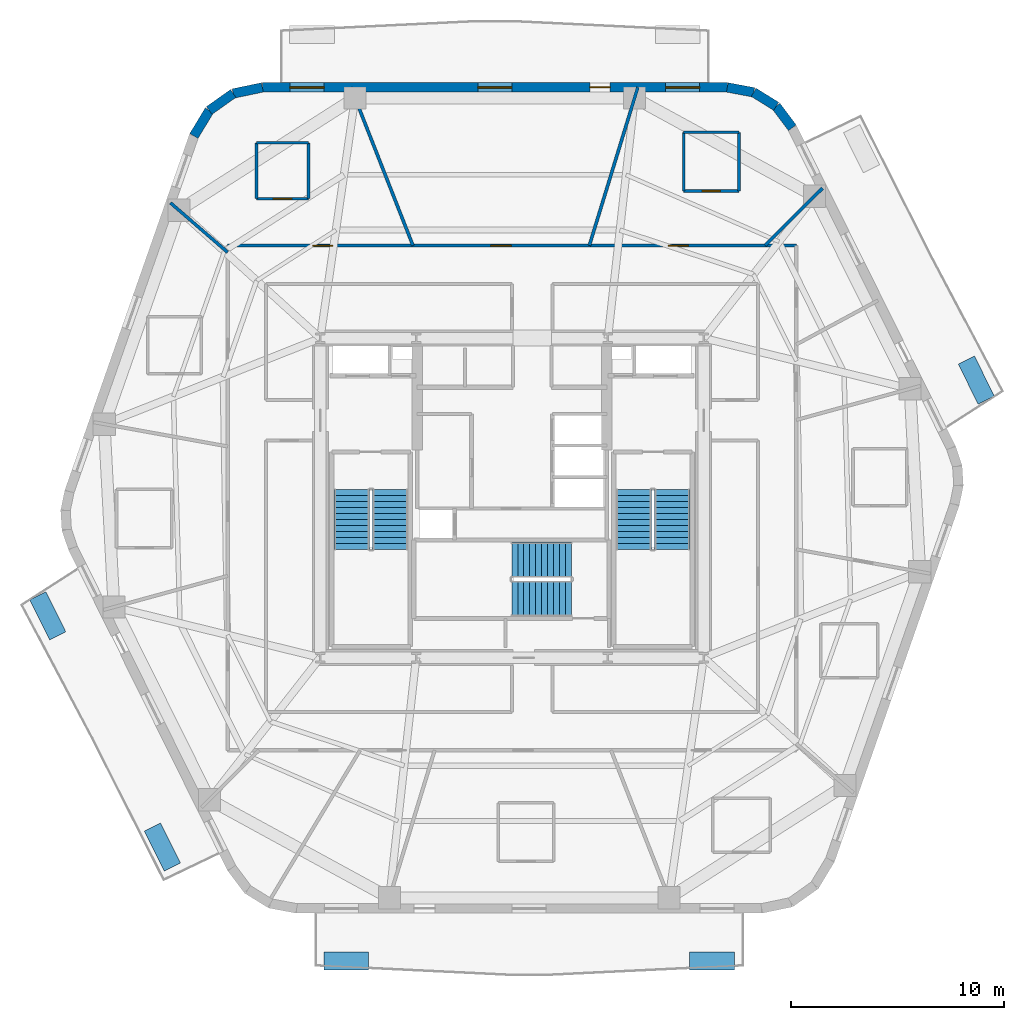
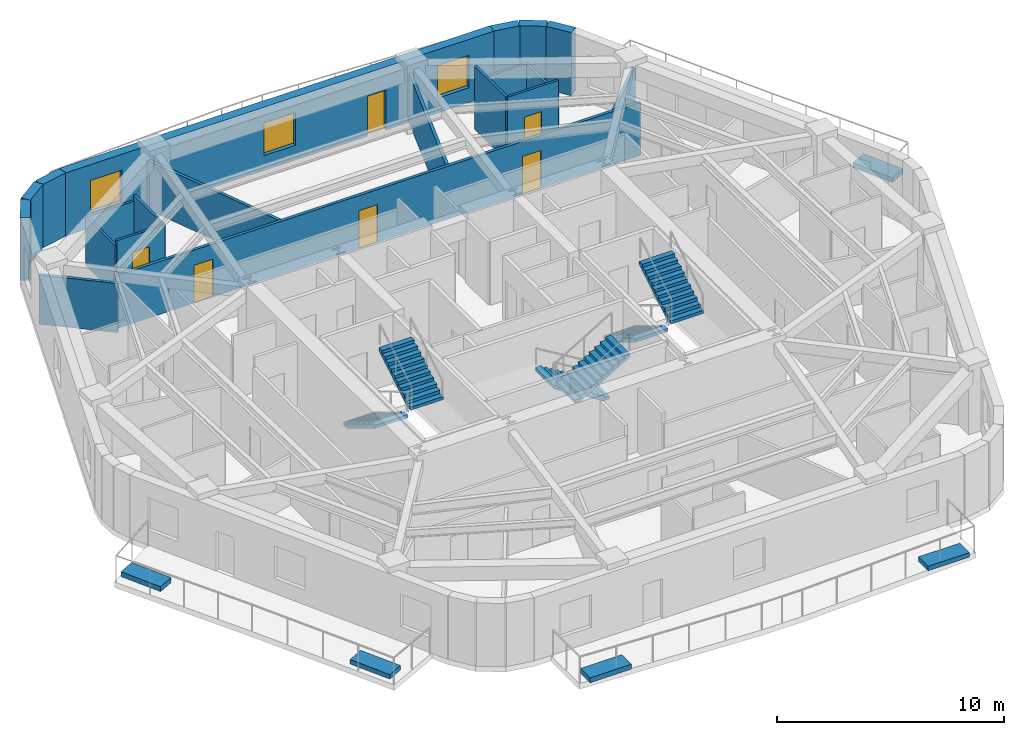
# One storey, part 6 of 10: 20 walls, 6 doors, 6 stair flights, 5 discrete accessories, 3 windows, 9 openings, 3 elements without a shape of their own.
"""IFC4 building model written with IfcOpenShell, lengths in metres."""

from ifc_helpers import new_model, si_unit, direction, frame, frame_2d, origin, origin_2d, place, context, subcontext, project, spatial, polyline, rectangle, outline, extrude, material, layer, layer_set, type_object, element, fill, aggregate, save


model = new_model("IFC4")

# Units and contexts
model_context = context("Model", 3, precision=1e-05, world=origin(), true_north=direction((0.0, 1.0)))
body_context = subcontext(model_context, "Body", "Model", "MODEL_VIEW")
ifc_project = project(units=[si_unit("LENGTHUNIT", "METRE"), si_unit("AREAUNIT", "SQUARE_METRE"), si_unit("VOLUMEUNIT", "CUBIC_METRE"), si_unit("PLANEANGLEUNIT", "RADIAN"), si_unit("MASSUNIT", "GRAM", prefix="KILO")], contexts=[model_context])

# Site, building, storey
site_placement = place(None, origin())
site = spatial("IfcSite", under=ifc_project, at=site_placement, CompositionType="ELEMENT")
building_placement = place(site_placement, origin())
building = spatial("IfcBuilding", under=site, at=building_placement, Name="Kilnhurst Terrace Hotel", CompositionType="ELEMENT")
storey_placement = place(building_placement, frame((0.0, 0.0, 190.39990234375)))
storey = spatial("IfcBuildingStorey", under=building, at=storey_placement, Name="L47", CompositionType="ELEMENT", Elevation=190.39990234375)

# Walls
ifc_material_1 = material(Name="Precast concrete C40/50", Category="concrete")
ifc_layer_1 = layer(ifc_material_1, 0.449951171875, Name="Precast concrete C40/50")
ifc_layer_set_1 = layer_set([ifc_layer_1], Name="Precast concrete C40/50")
wall_type_1 = type_object("IfcWallType", Name="WL-BRK-450", PredefinedType="SOLIDWALL", material=ifc_layer_set_1)
wall_1_placement = place(storey_placement, frame((13.162353515625, 17.380615234375, 0.0), z_axis=(0.0, 0.0, 1.0), x_axis=(-0.601515770517, 0.798860925205, 0.0)))
element("IfcWall", 1, at=wall_1_placement, inside=storey, type_object=wall_type_1, Name="L47 Rounded Corner Brick Wall C4.1", PredefinedType="SOLIDWALL", context=body_context, shape_type="SweptSolid", body=[
    extrude(rectangle(XDim=1.261962890625, YDim=0.449951171875, at=frame_2d((0.630859375, 0.0))), origin(), (0.0, 0.0, 1.0), 3.400146484375),
])
wall_2_placement = place(storey_placement, frame((12.4033203125, 18.388671875, 0.0), z_axis=(0.0, 0.0, 1.0), x_axis=(-0.849795170926, 0.527113049991, 0.0)))
element("IfcWall", 2, at=wall_2_placement, inside=storey, type_object=wall_type_1, Name="L47 Rounded Corner Brick Wall C4.2", PredefinedType="SOLIDWALL", context=body_context, shape_type="SweptSolid", body=[
    extrude(rectangle(XDim=1.24072265625, YDim=0.449951171875, at=frame_2d((0.620361328125, 0.0))), origin(), (0.0, 0.0, 1.0), 3.400146484375),
])
wall_3_placement = place(storey_placement, frame((11.348876953125, 19.042724609375, 0.0), z_axis=(0.0, 0.0, 1.0), x_axis=(-0.982931267051, 0.183973161772, 0.0)))
element("IfcWall", 3, at=wall_3_placement, inside=storey, type_object=wall_type_1, Name="L47 Rounded Corner Brick Wall C4.3", PredefinedType="SOLIDWALL", context=body_context, shape_type="SweptSolid", body=[
    extrude(rectangle(XDim=1.261962890625, YDim=0.449951171875, at=frame_2d((0.630859375, 0.0))), origin(), (0.0, 0.0, 1.0), 3.400146484375),
])
wall_4_placement = place(storey_placement, frame((-11.720458984375, 19.27490234375, 0.0), z_axis=(0.0, 0.0, 1.0), x_axis=(-0.97893106758, -0.204191001093, 0.0)))
element("IfcWall", 4, at=wall_4_placement, inside=storey, type_object=wall_type_1, Name="L47 Rounded Corner Brick Wall C5.1", PredefinedType="SOLIDWALL", context=body_context, shape_type="SweptSolid", body=[
    extrude(rectangle(XDim=1.400146484375, YDim=0.449951171875, at=frame_2d((0.7001953125, 0.0))), origin(), (0.0, 0.0, 1.0), 3.400146484375),
])
wall_5_placement = place(storey_placement, frame((-13.091064453125, 18.989013671875, 0.0), z_axis=(0.0, 0.0, 1.0), x_axis=(-0.815574637848, -0.578651890258, 0.0)))
element("IfcWall", 5, at=wall_5_placement, inside=storey, type_object=wall_type_1, Name="L47 Rounded Corner Brick Wall C5.2", PredefinedType="SOLIDWALL", context=body_context, shape_type="SweptSolid", body=[
    extrude(rectangle(XDim=1.376708984375, YDim=0.449951171875, at=frame_2d((0.6884765625, 0.0))), origin(), (0.0, 0.0, 1.0), 3.400146484375),
])
wall_6_placement = place(storey_placement, frame((-14.2138671875, 18.1923828125, 0.0), z_axis=(0.0, 0.0, 1.0), x_axis=(-0.516340945502, -0.856383108193, 0.0)))
element("IfcWall", 6, at=wall_6_placement, inside=storey, type_object=wall_type_1, Name="L47 Rounded Corner Brick Wall C5.3", PredefinedType="SOLIDWALL", context=body_context, shape_type="SweptSolid", body=[
    extrude(rectangle(XDim=1.400146484375, YDim=0.449951171875, at=frame_2d((0.7001953125, 0.0))), origin(), (0.0, 0.0, 1.0), 3.400146484375),
])

# Wall, openings, door, windows
wall_7_placement = place(storey_placement, frame((10.1083984375, 19.27490234375, 0.0), z_axis=(0.0, 0.0, 1.0), x_axis=(-1.0, 0.0, 0.0)))
wall_7 = element("IfcWall", 7, at=wall_7_placement, inside=storey, type_object=wall_type_1, Name="L47 Exterior Brick Facade Wall F4", PredefinedType="SOLIDWALL", context=body_context, shape_type="SweptSolid", body=[
    extrude(rectangle(XDim=21.828857421875, YDim=0.449951171875, at=frame_2d((10.91455078125, 0.0))), origin(), (0.0, 0.0, 1.0), 3.400146484375),
])
opening_1_placement = place(wall_7_placement, frame((5.5029296875, 0.0, 0.0)))
opening_1 = element("IfcOpeningElement", 8, at=opening_1_placement, cuts=wall_7, Name="Opening BD-950", PredefinedType="OPENING", context=body_context, shape_type="SweptSolid", body=[
    extrude(rectangle(XDim=0.949951171875, YDim=2.14990234375, at=frame_2d((0.47509765625, 1.074951171875))), frame((0.0, 0.23486328125, 0.0), z_axis=(0.0, -1.0, 0.0), x_axis=(1.0, 0.0, 0.0)), (0.0, 0.0, 1.0), 0.469970703125),
])
opening_2_placement = place(wall_7_placement, frame((1.297119140625, 0.0, 0.800048828125)))
opening_2 = element("IfcOpeningElement", 9, at=opening_2_placement, cuts=wall_7, Name="Opening W-05", PredefinedType="OPENING", context=body_context, shape_type="SweptSolid", body=[
    extrude(rectangle(XDim=1.60009765625, YDim=1.75, at=frame_2d((0.800048828125, 0.875))), frame((0.0, 0.23486328125, 0.0), z_axis=(0.0, -1.0, 0.0), x_axis=(1.0, 0.0, 0.0)), (0.0, 0.0, 1.0), 0.469970703125),
])
opening_3_placement = place(wall_7_placement, frame((10.114990234375, 0.0, 0.800048828125)))
opening_3 = element("IfcOpeningElement", 10, at=opening_3_placement, cuts=wall_7, Name="Opening W-05", PredefinedType="OPENING", context=body_context, shape_type="SweptSolid", body=[
    extrude(rectangle(XDim=1.60009765625, YDim=1.75, at=frame_2d((0.800048828125, 0.875))), frame((0.0, 0.23486328125, 0.0), z_axis=(0.0, -1.0, 0.0), x_axis=(1.0, 0.0, 0.0)), (0.0, 0.0, 1.0), 0.469970703125),
])
opening_4_placement = place(wall_7_placement, frame((18.93310546875, 0.0, 0.800048828125)))
opening_4 = element("IfcOpeningElement", 11, at=opening_4_placement, cuts=wall_7, Name="Opening W-05", PredefinedType="OPENING", context=body_context, shape_type="SweptSolid", body=[
    extrude(rectangle(XDim=1.60009765625, YDim=1.75, at=frame_2d((0.800048828125, 0.875))), frame((0.0, 0.23486328125, 0.0), z_axis=(0.0, -1.0, 0.0), x_axis=(1.0, 0.0, 0.0)), (0.0, 0.0, 1.0), 0.469970703125),
])
ifc_material_2 = material(Name="Thermally Broken Bronze Aluminium Alloy 6063-T6 and Laminated Glass", Category="aluminium")
door_type_1 = type_object("IfcDoorType", Name="DR-EXT-BAL-950", OperationType="NOTDEFINED", PredefinedType="DOOR", material=ifc_material_2)
door_1_placement = place(opening_1_placement, origin())
door_1 = element("IfcDoor", 12, at=door_1_placement, inside=storey, type_object=door_type_1, Name="L47 Planted Balcony Door BAL-L1B", OperationType="SINGLE_SWING_RIGHT", OverallHeight=2.14990234375, OverallWidth=0.949951171875, PredefinedType="DOOR", context=body_context, shape_type="SweptSolid", body=[
    extrude(rectangle(XDim=0.949951171875, YDim=2.14990234375, at=frame_2d((0.47509765625, 1.074951171875))), frame((0.0, 0.02490234375, 0.0), z_axis=(0.0, -1.0, 0.0), x_axis=(1.0, 0.0, 0.0)), (0.0, 0.0, 1.0), 0.050048828125),
])
fill(opening_1, door_1)
ifc_material_3 = material(Name="Thermally Broken Bronze Aluminium Alloy 6063-T6 and Low-E Glass", Category="aluminium")
window_type = type_object("IfcWindowType", Name="WIN-1600X1750", PartitioningType="SINGLE_PANEL", PredefinedType="WINDOW", material=ifc_material_3)
window_1_placement = place(opening_2_placement, origin())
window_1 = element("IfcWindow", 13, at=window_1_placement, inside=storey, type_object=window_type, Name="L47 Deep-Set Masonry Window F4.1", OverallHeight=1.75, OverallWidth=1.60009765625, PartitioningType="SINGLE_PANEL", PredefinedType="WINDOW", context=body_context, shape_type="SweptSolid", body=[
    extrude(rectangle(XDim=1.60009765625, YDim=1.75, at=frame_2d((0.800048828125, 0.875))), frame((0.0, 0.030029296875, 0.0), z_axis=(0.0, -1.0, 0.0), x_axis=(1.0, 0.0, 0.0)), (0.0, 0.0, 1.0), 0.06005859375),
])
fill(opening_2, window_1)
window_2_placement = place(opening_3_placement, origin())
window_2 = element("IfcWindow", 14, at=window_2_placement, inside=storey, type_object=window_type, Name="L47 Deep-Set Masonry Window F4.2", OverallHeight=1.75, OverallWidth=1.60009765625, PartitioningType="SINGLE_PANEL", PredefinedType="WINDOW", context=body_context, shape_type="SweptSolid", body=[
    extrude(rectangle(XDim=1.60009765625, YDim=1.75, at=frame_2d((0.800048828125, 0.875))), frame((0.0, 0.030029296875, 0.0), z_axis=(0.0, -1.0, 0.0), x_axis=(1.0, 0.0, 0.0)), (0.0, 0.0, 1.0), 0.06005859375),
])
fill(opening_3, window_2)
window_3_placement = place(opening_4_placement, origin())
window_3 = element("IfcWindow", 15, at=window_3_placement, inside=storey, type_object=window_type, Name="L47 Deep-Set Masonry Window F4.3", OverallHeight=1.75, OverallWidth=1.60009765625, PartitioningType="SINGLE_PANEL", PredefinedType="WINDOW", context=body_context, shape_type="SweptSolid", body=[
    extrude(rectangle(XDim=1.60009765625, YDim=1.75, at=frame_2d((0.800048828125, 0.875))), frame((0.0, 0.030029296875, 0.0), z_axis=(0.0, -1.0, 0.0), x_axis=(1.0, 0.0, 0.0)), (0.0, 0.0, 1.0), 0.06005859375),
])
fill(opening_4, window_3)

# Wall, openings, doors
ifc_material_4 = material(Name="Acoustic Double-Gypsum Corridor Partition Assembly")
ifc_layer_2 = layer(ifc_material_4, 0.14990234375, Name="Acoustic Double-Gypsum Corridor Partition Assembly")
ifc_layer_set_2 = layer_set([ifc_layer_2], Name="Acoustic Double-Gypsum Corridor Partition Assembly")
wall_type_2 = type_object("IfcWallType", Name="WL-COR-150", PredefinedType="PARTITIONING", material=ifc_layer_set_2)
wall_8_placement = place(storey_placement, frame((-13.35009765625, 11.85009765625, 0.0), z_axis=(0.0, 0.0, 1.0), x_axis=(1.0, 0.0, 0.0)))
wall_8 = element("IfcWall", 16, at=wall_8_placement, inside=storey, type_object=wall_type_2, Name="L47 Interior Wall WL-L47-COR-03", PredefinedType="PARTITIONING", context=body_context, shape_type="SweptSolid", body=[
    extrude(rectangle(XDim=26.7001953125, YDim=0.14990234375, at=frame_2d((13.35009765625, 0.0))), origin(), (0.0, 0.0, 1.0), 2.840087890625),
])
opening_5_placement = place(wall_8_placement, frame((20.681884765625, 0.0, 0.0)))
opening_5 = element("IfcOpeningElement", 17, at=opening_5_placement, cuts=wall_8, Name="Opening D-60B", PredefinedType="OPENING", context=body_context, shape_type="SweptSolid", body=[
    extrude(rectangle(XDim=0.949951171875, YDim=2.030029296875, at=frame_2d((0.47509765625, 1.01513671875))), frame((0.0, 0.0849609375, 0.0), z_axis=(0.0, -1.0, 0.0), x_axis=(1.0, 0.0, 0.0)), (0.0, 0.0, 1.0), 0.169921875),
])
opening_6_placement = place(wall_8_placement, frame((12.362060546875, 0.0, 0.0)))
opening_6 = element("IfcOpeningElement", 18, at=opening_6_placement, cuts=wall_8, Name="Opening D-60B", PredefinedType="OPENING", context=body_context, shape_type="SweptSolid", body=[
    extrude(rectangle(XDim=0.949951171875, YDim=2.030029296875, at=frame_2d((0.47509765625, 1.01513671875))), frame((0.0, 0.0849609375, 0.0), z_axis=(0.0, -1.0, 0.0), x_axis=(1.0, 0.0, 0.0)), (0.0, 0.0, 1.0), 0.169921875),
])
opening_7_placement = place(wall_8_placement, frame((3.9951171875, 0.0, 0.0)))
opening_7 = element("IfcOpeningElement", 19, at=opening_7_placement, cuts=wall_8, Name="Opening D-60B", PredefinedType="OPENING", context=body_context, shape_type="SweptSolid", body=[
    extrude(rectangle(XDim=0.949951171875, YDim=2.030029296875, at=frame_2d((0.47509765625, 1.01513671875))), frame((0.0, 0.0849609375, 0.0), z_axis=(0.0, -1.0, 0.0), x_axis=(1.0, 0.0, 0.0)), (0.0, 0.0, 1.0), 0.169921875),
])
ifc_material_5 = material(Name="Acoustic Walnut Veneer Solid-Core Fire Door")
door_type_2 = type_object("IfcDoorType", Name="DR-FD60-950", OperationType="NOTDEFINED", PredefinedType="DOOR", material=ifc_material_5)
door_2_placement = place(opening_5_placement, origin())
door_2 = element("IfcDoor", 20, at=door_2_placement, inside=storey, type_object=door_type_2, Name="L47 Executive Suite Entry Door 3", OperationType="SINGLE_SWING_LEFT", OverallHeight=2.030029296875, OverallWidth=0.949951171875, PredefinedType="DOOR", context=body_context, shape_type="SweptSolid", body=[
    extrude(rectangle(XDim=0.949951171875, YDim=2.030029296875, at=frame_2d((0.47509765625, 1.01513671875))), frame((0.0, 0.02490234375, 0.0), z_axis=(0.0, -1.0, 0.0), x_axis=(1.0, 0.0, 0.0)), (0.0, 0.0, 1.0), 0.050048828125),
])
fill(opening_5, door_2)
door_3_placement = place(opening_6_placement, origin())
door_3 = element("IfcDoor", 21, at=door_3_placement, inside=storey, type_object=door_type_2, Name="L47 Executive Boardroom Door", OperationType="SINGLE_SWING_RIGHT", OverallHeight=2.030029296875, OverallWidth=0.949951171875, PredefinedType="DOOR", context=body_context, shape_type="SweptSolid", body=[
    extrude(rectangle(XDim=0.949951171875, YDim=2.030029296875, at=frame_2d((0.47509765625, 1.01513671875))), frame((0.0, 0.02490234375, 0.0), z_axis=(0.0, -1.0, 0.0), x_axis=(1.0, 0.0, 0.0)), (0.0, 0.0, 1.0), 0.050048828125),
])
fill(opening_6, door_3)
door_4_placement = place(opening_7_placement, origin())
door_4 = element("IfcDoor", 22, at=door_4_placement, inside=storey, type_object=door_type_2, Name="L47 Executive Suite Entry Door 5", OperationType="SINGLE_SWING_LEFT", OverallHeight=2.030029296875, OverallWidth=0.949951171875, PredefinedType="DOOR", context=body_context, shape_type="SweptSolid", body=[
    extrude(rectangle(XDim=0.949951171875, YDim=2.030029296875, at=frame_2d((0.47509765625, 1.01513671875))), frame((0.0, 0.02490234375, 0.0), z_axis=(0.0, -1.0, 0.0), x_axis=(1.0, 0.0, 0.0)), (0.0, 0.0, 1.0), 0.050048828125),
])
fill(opening_7, door_4)

# Walls
ifc_material_6 = material(Name="STC-58 Acoustic Twin-Frame Guestroom Demising Partition")
ifc_layer_3 = layer(ifc_material_6, 0.14990234375, Name="STC-58 Acoustic Twin-Frame Guestroom Demising Partition")
ifc_layer_set_3 = layer_set([ifc_layer_3], Name="STC-58 Acoustic Twin-Frame Guestroom Demising Partition")
wall_type_3 = type_object("IfcWallType", Name="WL-DEM-150", PredefinedType="PARTITIONING", material=ifc_layer_set_3)
wall_9_placement = place(storey_placement, frame((11.8818359375, 11.85009765625, 0.0), z_axis=(0.0, 0.0, 1.0), x_axis=(0.708037373639, 0.706174962407, 0.0)))
element("IfcWall", 23, at=wall_9_placement, inside=storey, type_object=wall_type_3, Name="L47 Interior Wall WL-L47-DEM-COL02-03-1", PredefinedType="PARTITIONING", context=body_context, shape_type="SweptSolid", body=[
    extrude(rectangle(XDim=3.801513671875, YDim=0.14990234375, at=frame_2d((1.90087890625, 0.0))), origin(), (0.0, 0.0, 1.0), 2.64013671875),
])
wall_10_placement = place(storey_placement, frame((3.63134765625, 11.85009765625, 0.0), z_axis=(0.0, 0.0, 1.0), x_axis=(0.293007573338, 0.956110120209, 0.0)))
element("IfcWall", 24, at=wall_10_placement, inside=storey, type_object=wall_type_3, Name="L47 Interior Wall WL-L47-DEM-COL03-04-1", PredefinedType="PARTITIONING", context=body_context, shape_type="SweptSolid", body=[
    extrude(rectangle(XDim=7.765625, YDim=0.14990234375, at=frame_2d((3.8828125, 0.0))), origin(), (0.0, 0.0, 1.0), 2.64013671875),
])
wall_11_placement = place(storey_placement, frame((-4.64990234375, 11.85009765625, 0.0), z_axis=(0.0, 0.0, 1.0), x_axis=(-0.365265947993, 0.930903210456, 0.0)))
element("IfcWall", 25, at=wall_11_placement, inside=storey, type_object=wall_type_3, Name="L47 Interior Wall WL-L47-DEM-COL04-05-1", PredefinedType="PARTITIONING", context=body_context, shape_type="SweptSolid", body=[
    extrude(rectangle(XDim=7.975830078125, YDim=0.14990234375, at=frame_2d((3.98779296875, 0.0))), origin(), (0.0, 0.0, 1.0), 2.64013671875),
])
wall_12_placement = place(storey_placement, frame((-13.35009765625, 11.53271484375, 0.0), z_axis=(0.0, 0.0, 1.0), x_axis=(-0.756711647314, 0.65374879183, 0.0)))
element("IfcWall", 26, at=wall_12_placement, inside=storey, type_object=wall_type_3, Name="L47 Interior Wall WL-L47-DEM-COL05-06-1", PredefinedType="PARTITIONING", context=body_context, shape_type="SweptSolid", body=[
    extrude(rectangle(XDim=3.549560546875, YDim=0.14990234375, at=frame_2d((1.77490234375, 0.0))), origin(), (0.0, 0.0, 1.0), 2.64013671875),
])

# Wall, opening, door
ifc_material_7 = material(Name="120 mm Moisture-Resistant Tile-Backed Bathroom Partition")
ifc_layer_4 = layer(ifc_material_7, 0.1201171875, Name="120 mm Moisture-Resistant Tile-Backed Bathroom Partition")
ifc_layer_set_4 = layer_set([ifc_layer_4], Name="120 mm Moisture-Resistant Tile-Backed Bathroom Partition")
wall_type_4 = type_object("IfcWallType", Name="WL-PART-120", PredefinedType="PARTITIONING", material=ifc_layer_set_4)
wall_13_placement = place(storey_placement, frame((8.05810546875, 14.410888671875, 0.0), z_axis=(0.0, 0.0, 1.0), x_axis=(1.0, 0.0, 0.0)))
wall_13 = element("IfcWall", 27, at=wall_13_placement, inside=storey, type_object=wall_type_4, Name="L47 Interior Wall WL-L47-BTH-03-1", PredefinedType="PARTITIONING", context=body_context, shape_type="SweptSolid", body=[
    extrude(rectangle(XDim=2.599853515625, YDim=0.1201171875, at=frame_2d((1.2998046875, 0.0))), origin(), (0.0, 0.0, 1.0), 3.400146484375),
])
opening_8_placement = place(wall_13_placement, frame((0.875, 0.0, 0.0)))
opening_8 = element("IfcOpeningElement", 28, at=opening_8_placement, cuts=wall_13, Name="Opening D-08A", PredefinedType="OPENING", context=body_context, shape_type="SweptSolid", body=[
    extrude(rectangle(XDim=0.85009765625, YDim=2.030029296875, at=frame_2d((0.425048828125, 1.01513671875))), frame((0.0, 0.070068359375, 0.0), z_axis=(0.0, -1.0, 0.0), x_axis=(1.0, 0.0, 0.0)), (0.0, 0.0, 1.0), 0.14013671875),
])
ifc_material_8 = material(Name="Moisture-Resistant Lacquered En-suite Bathroom Door")
door_type_3 = type_object("IfcDoorType", Name="DR-INT-850", OperationType="NOTDEFINED", PredefinedType="DOOR", material=ifc_material_8)
door_5_placement = place(opening_8_placement, origin())
door_5 = element("IfcDoor", 29, at=door_5_placement, inside=storey, type_object=door_type_3, Name="L47 En-suite Bathroom Door 3", OperationType="SINGLE_SWING_RIGHT", OverallHeight=2.030029296875, OverallWidth=0.85009765625, PredefinedType="DOOR", context=body_context, shape_type="SweptSolid", body=[
    extrude(rectangle(XDim=0.85009765625, YDim=2.030029296875, at=frame_2d((0.425048828125, 1.01513671875))), frame((0.0, 0.02490234375, 0.0), z_axis=(0.0, -1.0, 0.0), x_axis=(1.0, 0.0, 0.0)), (0.0, 0.0, 1.0), 0.050048828125),
])
fill(opening_8, door_5)

# Walls
wall_14_placement = place(storey_placement, frame((10.657958984375, 14.410888671875, 0.0), z_axis=(0.0, 0.0, 1.0), x_axis=(0.0, 1.0, 0.0)))
element("IfcWall", 30, at=wall_14_placement, inside=storey, type_object=wall_type_4, Name="L47 Interior Wall WL-L47-BTH-03-2", PredefinedType="PARTITIONING", context=body_context, shape_type="SweptSolid", body=[
    extrude(rectangle(XDim=2.75, YDim=0.1201171875, at=frame_2d((1.375, 0.0))), origin(), (0.0, 0.0, 1.0), 2.64013671875),
])
wall_15_placement = place(storey_placement, frame((10.657958984375, 17.160888671875, 0.0), z_axis=(0.0, 0.0, 1.0), x_axis=(-1.0, 0.0, 0.0)))
element("IfcWall", 31, at=wall_15_placement, inside=storey, type_object=wall_type_4, Name="L47 Interior Wall WL-L47-BTH-03-3", PredefinedType="PARTITIONING", context=body_context, shape_type="SweptSolid", body=[
    extrude(rectangle(XDim=2.599853515625, YDim=0.1201171875, at=frame_2d((1.2998046875, 0.0))), origin(), (0.0, 0.0, 1.0), 2.64013671875),
])
wall_16_placement = place(storey_placement, frame((8.05810546875, 17.160888671875, 0.0), z_axis=(0.0, 0.0, 1.0), x_axis=(0.0, -1.0, 0.0)))
element("IfcWall", 32, at=wall_16_placement, inside=storey, type_object=wall_type_4, Name="L47 Interior Wall WL-L47-BTH-03-4", PredefinedType="PARTITIONING", context=body_context, shape_type="SweptSolid", body=[
    extrude(rectangle(XDim=2.75, YDim=0.1201171875, at=frame_2d((1.375, 0.0))), origin(), (0.0, 0.0, 1.0), 3.400146484375),
])

# Wall, opening, door
wall_17_placement = place(storey_placement, frame((-11.99609375, 14.056884765625, 0.0), z_axis=(0.0, 0.0, 1.0), x_axis=(1.0, 0.0, 0.0)))
wall_17 = element("IfcWall", 33, at=wall_17_placement, inside=storey, type_object=wall_type_4, Name="L47 Interior Wall WL-L47-BTH-05-1", PredefinedType="PARTITIONING", context=body_context, shape_type="SweptSolid", body=[
    extrude(rectangle(XDim=2.440185546875, YDim=0.1201171875, at=frame_2d((1.22021484375, 0.0))), origin(), (0.0, 0.0, 1.0), 2.926513671875),
])
opening_9_placement = place(wall_17_placement, frame((0.794921875, 0.0, 0.0)))
opening_9 = element("IfcOpeningElement", 34, at=opening_9_placement, cuts=wall_17, Name="Opening D-08A", PredefinedType="OPENING", context=body_context, shape_type="SweptSolid", body=[
    extrude(rectangle(XDim=0.85009765625, YDim=2.030029296875, at=frame_2d((0.425048828125, 1.01513671875))), frame((0.0, 0.070068359375, 0.0), z_axis=(0.0, -1.0, 0.0), x_axis=(1.0, 0.0, 0.0)), (0.0, 0.0, 1.0), 0.14013671875),
])
door_6_placement = place(opening_9_placement, origin())
door_6 = element("IfcDoor", 35, at=door_6_placement, inside=storey, type_object=door_type_3, Name="L47 En-suite Bathroom Door 5", OperationType="SINGLE_SWING_RIGHT", OverallHeight=2.030029296875, OverallWidth=0.85009765625, PredefinedType="DOOR", context=body_context, shape_type="SweptSolid", body=[
    extrude(rectangle(XDim=0.85009765625, YDim=2.030029296875, at=frame_2d((0.425048828125, 1.01513671875))), frame((0.0, 0.02490234375, 0.0), z_axis=(0.0, -1.0, 0.0), x_axis=(1.0, 0.0, 0.0)), (0.0, 0.0, 1.0), 0.050048828125),
])
fill(opening_9, door_6)

# Walls
wall_18_placement = place(storey_placement, frame((-9.555908203125, 14.056884765625, 0.0), z_axis=(0.0, 0.0, 1.0), x_axis=(0.0, 1.0, 0.0)))
element("IfcWall", 36, at=wall_18_placement, inside=storey, type_object=wall_type_4, Name="L47 Interior Wall WL-L47-BTH-05-2", PredefinedType="PARTITIONING", context=body_context, shape_type="SweptSolid", body=[
    extrude(rectangle(XDim=2.610107421875, YDim=0.1201171875, at=frame_2d((1.30517578125, 0.0))), origin(), (0.0, 0.0, 1.0), 2.926513671875),
])
wall_19_placement = place(storey_placement, frame((-9.555908203125, 16.6669921875, 0.0), z_axis=(0.0, 0.0, 1.0), x_axis=(-1.0, 0.0, 0.0)))
element("IfcWall", 37, at=wall_19_placement, inside=storey, type_object=wall_type_4, Name="L47 Interior Wall WL-L47-BTH-05-3", PredefinedType="PARTITIONING", context=body_context, shape_type="SweptSolid", body=[
    extrude(rectangle(XDim=2.440185546875, YDim=0.1201171875, at=frame_2d((1.22021484375, 0.0))), origin(), (0.0, 0.0, 1.0), 2.64013671875),
])
wall_20_placement = place(storey_placement, frame((-11.99609375, 16.6669921875, 0.0), z_axis=(0.0, 0.0, 1.0), x_axis=(0.0, -1.0, 0.0)))
element("IfcWall", 38, at=wall_20_placement, inside=storey, type_object=wall_type_4, Name="L47 Interior Wall WL-L47-BTH-05-4", PredefinedType="PARTITIONING", context=body_context, shape_type="SweptSolid", body=[
    extrude(rectangle(XDim=2.610107421875, YDim=0.1201171875, at=frame_2d((1.30517578125, 0.0))), origin(), (0.0, 0.0, 1.0), 2.64013671875),
])

# Stair, stair flights
ifc_material_9 = material(Name="Concrete C50/60", Category="concrete")
stair_type = type_object("IfcStairType", Name="STR-CORE-1660", PredefinedType="HALF_TURN_STAIR", material=ifc_material_9)
stair_1_placement = place(storey_placement, origin())
stair_1 = element("IfcStair", 39, at=stair_1_placement, inside=storey, type_object=stair_type, Name="L47 ST-1", PredefinedType="HALF_TURN_STAIR")
stair_flight_type = type_object("IfcStairFlightType", Name="FLT-RC-1660", PredefinedType="STRAIGHT", material=ifc_material_9)
stair_flight_1_placement = place(storey_placement, frame((-7.52001953125, 0.389892578125, 0.0), z_axis=(0.0, 0.0, 1.0), x_axis=(0.0, -1.0, 0.0)))
stair_flight_1 = element("IfcStairFlight", 40, at=stair_flight_1_placement, type_object=stair_flight_type, Name="ST-1 flight 1", NumberOfRisers=11, NumberOfTreads=10, PredefinedType="STRAIGHT", RiserHeight=0.168181818, TreadLength=0.28, context=body_context, shape_type="SweptSolid", body=[
    extrude(outline(polyline([(0.0, 0.0), (0.0, 0.168212890625), (0.280029296875, 0.168212890625), (0.280029296875, 0.33642578125), (0.56005859375, 0.33642578125), (0.56005859375, 0.504638671875), (0.840087890625, 0.504638671875), (0.840087890625, 0.672607421875), (1.1201171875, 0.672607421875), (1.1201171875, 0.8408203125), (1.39990234375, 0.8408203125), (1.39990234375, 1.009033203125), (1.679931640625, 1.009033203125), (1.679931640625, 1.17724609375), (1.9599609375, 1.17724609375), (1.9599609375, 1.345458984375), (2.239990234375, 1.345458984375), (2.239990234375, 1.513671875), (2.52001953125, 1.513671875), (2.52001953125, 1.681884765625), (2.800048828125, 1.681884765625), (2.800048828125, 1.85009765625), (2.800048828125, 1.5068359375), (0.291015625, 0.0), (0.0, 0.0)])), frame((0.0, 0.830078125, 0.0), z_axis=(0.0, -1.0, 0.0), x_axis=(1.0, 0.0, 0.0)), (0.0, 0.0, 1.0), 1.659912109375),
])
stair_flight_2_placement = place(storey_placement, frame((-5.7099609375, -2.409912109375, 1.85009765625), z_axis=(0.0, 0.0, 1.0), x_axis=(0.0, 1.0, 0.0)))
stair_flight_2 = element("IfcStairFlight", 41, at=stair_flight_2_placement, type_object=stair_flight_type, Name="ST-1 flight 2", NumberOfRisers=11, NumberOfTreads=10, PredefinedType="STRAIGHT", RiserHeight=0.168181818, TreadLength=0.28, context=body_context, shape_type="SweptSolid", body=[
    extrude(outline(polyline([(0.0, 0.0), (0.0, 0.168212890625), (0.280029296875, 0.168212890625), (0.280029296875, 0.33642578125), (0.56005859375, 0.33642578125), (0.56005859375, 0.504638671875), (0.840087890625, 0.504638671875), (0.840087890625, 0.672607421875), (1.1201171875, 0.672607421875), (1.1201171875, 0.8408203125), (1.39990234375, 0.8408203125), (1.39990234375, 1.009033203125), (1.679931640625, 1.009033203125), (1.679931640625, 1.17724609375), (1.9599609375, 1.17724609375), (1.9599609375, 1.345458984375), (2.239990234375, 1.345458984375), (2.239990234375, 1.513671875), (2.52001953125, 1.513671875), (2.52001953125, 1.681884765625), (2.800048828125, 1.681884765625), (2.800048828125, 1.85009765625), (2.800048828125, 1.5068359375), (0.291015625, 0.0), (0.0, 0.0)])), frame((0.0, 0.830078125, 0.0), z_axis=(0.0, -1.0, 0.0), x_axis=(1.0, 0.0, 0.0)), (0.0, 0.0, 1.0), 1.659912109375),
])
aggregate(stair_1, [stair_flight_1, stair_flight_2])

stair_2_placement = place(storey_placement, origin())
stair_2 = element("IfcStair", 42, at=stair_2_placement, inside=storey, type_object=stair_type, Name="L47 ST-2", PredefinedType="HALF_TURN_STAIR")
stair_flight_3_placement = place(storey_placement, frame((5.7099609375, 0.389892578125, 0.0), z_axis=(0.0, 0.0, 1.0), x_axis=(0.0, -1.0, 0.0)))
stair_flight_3 = element("IfcStairFlight", 43, at=stair_flight_3_placement, type_object=stair_flight_type, Name="ST-2 flight 1", NumberOfRisers=11, NumberOfTreads=10, PredefinedType="STRAIGHT", RiserHeight=0.168181818, TreadLength=0.28, context=body_context, shape_type="SweptSolid", body=[
    extrude(outline(polyline([(0.0, 0.0), (0.0, 0.168212890625), (0.280029296875, 0.168212890625), (0.280029296875, 0.33642578125), (0.56005859375, 0.33642578125), (0.56005859375, 0.504638671875), (0.840087890625, 0.504638671875), (0.840087890625, 0.672607421875), (1.1201171875, 0.672607421875), (1.1201171875, 0.8408203125), (1.39990234375, 0.8408203125), (1.39990234375, 1.009033203125), (1.679931640625, 1.009033203125), (1.679931640625, 1.17724609375), (1.9599609375, 1.17724609375), (1.9599609375, 1.345458984375), (2.239990234375, 1.345458984375), (2.239990234375, 1.513671875), (2.52001953125, 1.513671875), (2.52001953125, 1.681884765625), (2.800048828125, 1.681884765625), (2.800048828125, 1.85009765625), (2.800048828125, 1.5068359375), (0.291015625, 0.0), (0.0, 0.0)])), frame((0.0, 0.830078125, 0.0), z_axis=(0.0, -1.0, 0.0), x_axis=(1.0, 0.0, 0.0)), (0.0, 0.0, 1.0), 1.659912109375),
])
stair_flight_4_placement = place(storey_placement, frame((7.52001953125, -2.409912109375, 1.85009765625), z_axis=(0.0, 0.0, 1.0), x_axis=(0.0, 1.0, 0.0)))
stair_flight_4 = element("IfcStairFlight", 44, at=stair_flight_4_placement, type_object=stair_flight_type, Name="ST-2 flight 2", NumberOfRisers=11, NumberOfTreads=10, PredefinedType="STRAIGHT", RiserHeight=0.168181818, TreadLength=0.28, context=body_context, shape_type="SweptSolid", body=[
    extrude(outline(polyline([(0.0, 0.0), (0.0, 0.168212890625), (0.280029296875, 0.168212890625), (0.280029296875, 0.33642578125), (0.56005859375, 0.33642578125), (0.56005859375, 0.504638671875), (0.840087890625, 0.504638671875), (0.840087890625, 0.672607421875), (1.1201171875, 0.672607421875), (1.1201171875, 0.8408203125), (1.39990234375, 0.8408203125), (1.39990234375, 1.009033203125), (1.679931640625, 1.009033203125), (1.679931640625, 1.17724609375), (1.9599609375, 1.17724609375), (1.9599609375, 1.345458984375), (2.239990234375, 1.345458984375), (2.239990234375, 1.513671875), (2.52001953125, 1.513671875), (2.52001953125, 1.681884765625), (2.800048828125, 1.681884765625), (2.800048828125, 1.85009765625), (2.800048828125, 1.5068359375), (0.291015625, 0.0), (0.0, 0.0)])), frame((0.0, 0.830078125, 0.0), z_axis=(0.0, -1.0, 0.0), x_axis=(1.0, 0.0, 0.0)), (0.0, 0.0, 1.0), 1.659912109375),
])
aggregate(stair_2, [stair_flight_3, stair_flight_4])

stair_3_placement = place(storey_placement, origin())
stair_3 = element("IfcStair", 45, at=stair_3_placement, inside=storey, type_object=stair_type, Name="L47 ST-3", PredefinedType="HALF_TURN_STAIR")
stair_flight_5_placement = place(storey_placement, frame((2.7900390625, -2.909912109375, 0.0), z_axis=(0.0, 0.0, 1.0), x_axis=(-1.0, 0.0, 0.0)))
stair_flight_5 = element("IfcStairFlight", 46, at=stair_flight_5_placement, type_object=stair_flight_type, Name="ST-3 flight 1", NumberOfRisers=11, NumberOfTreads=10, PredefinedType="STRAIGHT", RiserHeight=0.168181818, TreadLength=0.28, context=body_context, shape_type="SweptSolid", body=[
    extrude(outline(polyline([(0.0, 0.0), (0.0, 0.168212890625), (0.280029296875, 0.168212890625), (0.280029296875, 0.33642578125), (0.56005859375, 0.33642578125), (0.56005859375, 0.504638671875), (0.840087890625, 0.504638671875), (0.840087890625, 0.672607421875), (1.1201171875, 0.672607421875), (1.1201171875, 0.8408203125), (1.39990234375, 0.8408203125), (1.39990234375, 1.009033203125), (1.679931640625, 1.009033203125), (1.679931640625, 1.17724609375), (1.9599609375, 1.17724609375), (1.9599609375, 1.345458984375), (2.239990234375, 1.345458984375), (2.239990234375, 1.513671875), (2.52001953125, 1.513671875), (2.52001953125, 1.681884765625), (2.800048828125, 1.681884765625), (2.800048828125, 1.85009765625), (2.800048828125, 1.5068359375), (0.291015625, 0.0), (0.0, 0.0)])), frame((0.0, 0.830078125, 0.0), z_axis=(0.0, -1.0, 0.0), x_axis=(1.0, 0.0, 0.0)), (0.0, 0.0, 1.0), 1.659912109375),
])
stair_flight_6_placement = place(storey_placement, frame((-0.010009765625, -4.719970703125, 1.85009765625), z_axis=(0.0, 0.0, 1.0), x_axis=(1.0, 0.0, 0.0)))
stair_flight_6 = element("IfcStairFlight", 47, at=stair_flight_6_placement, type_object=stair_flight_type, Name="ST-3 flight 2", NumberOfRisers=11, NumberOfTreads=10, PredefinedType="STRAIGHT", RiserHeight=0.168181818, TreadLength=0.28, context=body_context, shape_type="SweptSolid", body=[
    extrude(outline(polyline([(0.0, 0.0), (0.0, 0.168212890625), (0.280029296875, 0.168212890625), (0.280029296875, 0.33642578125), (0.56005859375, 0.33642578125), (0.56005859375, 0.504638671875), (0.840087890625, 0.504638671875), (0.840087890625, 0.672607421875), (1.1201171875, 0.672607421875), (1.1201171875, 0.8408203125), (1.39990234375, 0.8408203125), (1.39990234375, 1.009033203125), (1.679931640625, 1.009033203125), (1.679931640625, 1.17724609375), (1.9599609375, 1.17724609375), (1.9599609375, 1.345458984375), (2.239990234375, 1.345458984375), (2.239990234375, 1.513671875), (2.52001953125, 1.513671875), (2.52001953125, 1.681884765625), (2.800048828125, 1.681884765625), (2.800048828125, 1.85009765625), (2.800048828125, 1.5068359375), (0.291015625, 0.0), (0.0, 0.0)])), frame((0.0, 0.830078125, 0.0), z_axis=(0.0, -1.0, 0.0), x_axis=(1.0, 0.0, 0.0)), (0.0, 0.0, 1.0), 1.659912109375),
])
aggregate(stair_3, [stair_flight_5, stair_flight_6])

# Discrete accessories
ifc_material_10 = material(Name="Precast Concrete C40/50 Shrub Planter", Category="concrete")
discrete_accessory_type_1 = type_object("IfcDiscreteAccessoryType", Name="PLN-SHRUB-240", PredefinedType="USERDEFINED", material=ifc_material_10)
for number, where, z_axis, x_axis, name in (
    (48, (-16.414306640625, -16.393310546875, 0.0), (0.0, 0.0, 1.0), (0.444244308887, -0.895905683664, 0.0), "L47 Structural Tree Planter Box PLANTER BAL-L2A.2"),
    (49, (9.3935546875, -21.75, 0.0), (0.0, 0.0, 1.0), (1.0, 0.0, 0.0), "L47 Structural Tree Planter Box PLANTER BAL-L2B.2"),
):
    element("IfcDiscreteAccessory", number, at=place(storey_placement, frame(where, z_axis=z_axis, x_axis=x_axis)), inside=storey, type_object=discrete_accessory_type_1, Name=name, ObjectType="PLANTER", PredefinedType="USERDEFINED", context=body_context, shape_type="SweptSolid", body=[
        extrude(rectangle(XDim=2.10009765625, YDim=0.85009765625, at=origin_2d()), origin(), (0.0, 0.0, 1.0), 0.239990234375),
    ])
ifc_material_11 = material(Name="Precast Concrete C40/50 Tree Planter", Category="concrete")
discrete_accessory_type_2 = type_object("IfcDiscreteAccessoryType", Name="PLN-TREE-260", PredefinedType="USERDEFINED", material=ifc_material_11)
for number, where, z_axis, x_axis, name in (
    (50, (21.79833984375, 5.535400390625, 0.0), (0.0, 0.0, 1.0), (-0.444244308887, 0.895905683664, 0.0), "L47 Structural Tree Planter Box PLANTER BAL-L1A.1"),
    (51, (-21.79833984375, -5.535400390625, 0.0), (0.0, 0.0, 1.0), (0.444244308887, -0.895905683664, 0.0), "L47 Structural Tree Planter Box PLANTER BAL-L2A.1"),
    (52, (-7.779296875, -21.75, 0.0), (0.0, 0.0, 1.0), (1.0, 0.0, 0.0), "L47 Structural Tree Planter Box PLANTER BAL-L2B.1"),
):
    element("IfcDiscreteAccessory", number, at=place(storey_placement, frame(where, z_axis=z_axis, x_axis=x_axis)), inside=storey, type_object=discrete_accessory_type_2, Name=name, ObjectType="PLANTER", PredefinedType="USERDEFINED", context=body_context, shape_type="SweptSolid", body=[
        extrude(rectangle(XDim=2.10009765625, YDim=0.85009765625, at=origin_2d()), origin(), (0.0, 0.0, 1.0), 0.260009765625),
    ])

save(model, "model.ifc")
